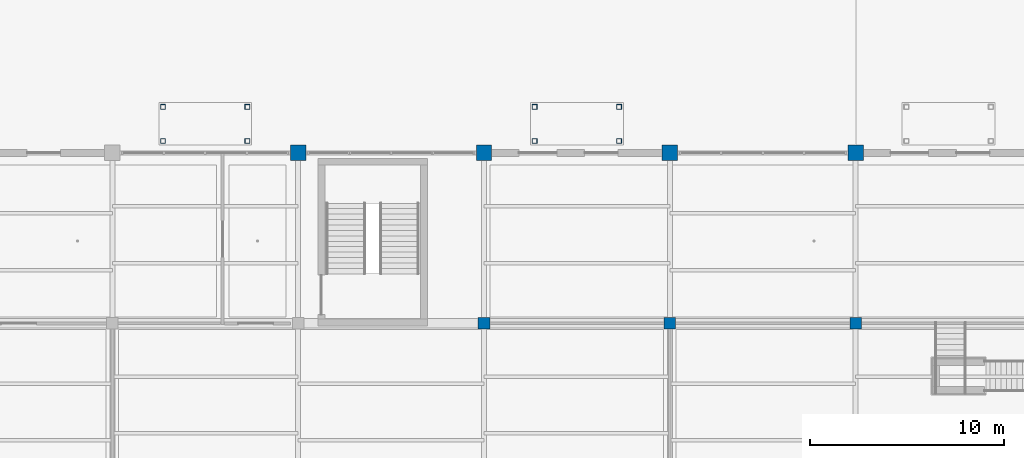
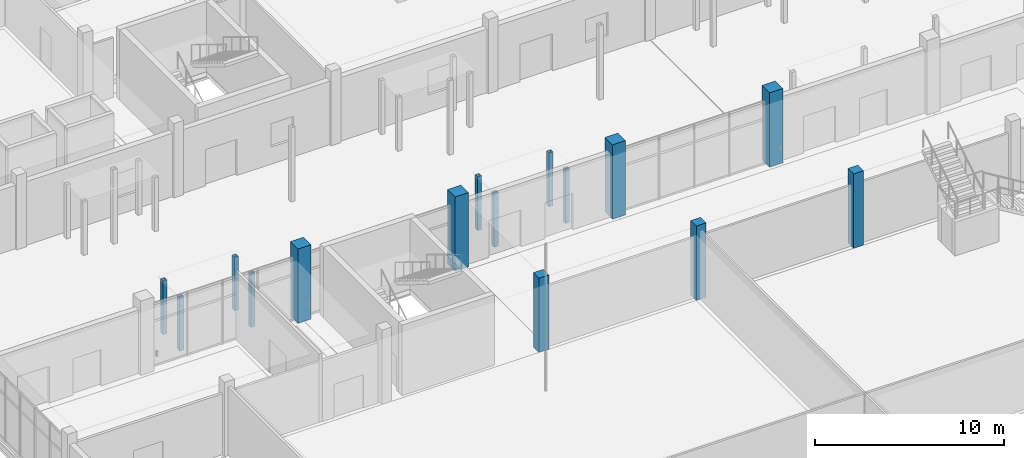
# One storey, part 6 of 116: 15 columns.
"""IFC4 building model written with IfcOpenShell, lengths in metres."""

import ifcopenshell
import ifcopenshell.guid

model = None  # the IFC model being written
_history = None  # IfcOwnerHistory: only IFC2X3 demands one
_inside = {}  # id of a spatial element -> (the spatial element, [elements in it])
_under = {}  # id of a project, library or spatial element -> (it, [spatial elements below it])
_declared = {}  # id of a project -> (the project, [libraries it declares])
_typed = {}  # id of a type object -> (the type object, [elements of that type])
_made_of = {}  # id of a material, layer set ... -> (it, [elements and type objects made of it])


def new_model(schema):
    """Start an empty IFC model of exactly this schema.

    Asked for "IFC4X3", IfcOpenShell would pick the latest addendum, in which some entities
    have other attributes; the version numbers below select the first issue.
    IFC2X3 requires an IfcOwnerHistory on every rooted entity: one is made here for all.
    """
    global model, _history
    if schema == "IFC4X3":
        model = ifcopenshell.file(schema_version=(4, 3, 0, 0))
    else:
        model = ifcopenshell.file(schema=schema)
    _inside.clear()
    _under.clear()
    _declared.clear()
    _typed.clear()
    _made_of.clear()
    _history = None
    if model.schema == "IFC2X3":
        org = make("IfcOrganization", Name="unknown")
        user = make(
            "IfcPersonAndOrganization",
            ThePerson=make("IfcPerson", FamilyName="unknown"),
            TheOrganization=org,
        )
        app = make(
            "IfcApplication",
            ApplicationDeveloper=org,
            Version="unknown",
            ApplicationFullName="unknown",
            ApplicationIdentifier="unknown",
        )
        _history = make(
            "IfcOwnerHistory",
            OwningUser=user,
            OwningApplication=app,
            ChangeAction="ADDED",
            CreationDate=0,
        )
    return model


def make(cls, **values):
    """One entity of the class cls with the attributes given. An attribute that is None is left unset."""
    return model.create_entity(
        cls, **{name: value for name, value in values.items() if value is not None}
    )


def rooted(cls, **values):
    """An entity with a GlobalId (a new one), such as an element, a storey or a relation."""
    return make(cls, GlobalId=ifcopenshell.guid.new(), OwnerHistory=_history, **values)


def si_unit(unit_type, name, prefix=None):
    """IfcSIUnit, for example si_unit("LENGTHUNIT", "METRE", prefix="MILLI")."""
    return make("IfcSIUnit", UnitType=unit_type, Prefix=prefix, Name=name)


def assignment(units):
    """IfcUnitAssignment: the units of a project."""
    return None if units is None else make("IfcUnitAssignment", Units=units)


def point(xyz):
    """IfcCartesianPoint."""
    return None if xyz is None else make("IfcCartesianPoint", Coordinates=xyz)


def direction(xyz):
    """IfcDirection."""
    return None if xyz is None else make("IfcDirection", DirectionRatios=xyz)


def frame(location, z_axis=None, x_axis=None):
    """IfcAxis2Placement3D, a coordinate frame: its origin and axes. An axis left out is left unset."""
    return make(
        "IfcAxis2Placement3D",
        Location=point(location),
        Axis=direction(z_axis),
        RefDirection=direction(x_axis),
    )


def frame_2d(location, x_axis=None):
    """IfcAxis2Placement2D, a coordinate frame in the plane: its origin and x axis."""
    return make(
        "IfcAxis2Placement2D", Location=point(location), RefDirection=direction(x_axis)
    )


def origin():
    """The frame at (0, 0, 0) with its axes left unset."""
    return frame((0.0, 0.0, 0.0))


def origin_2d():
    """The frame at (0, 0) in the plane with its x axis left unset."""
    return frame_2d((0.0, 0.0))


def place(relative_to, where):
    """IfcLocalPlacement: puts the frame where relative to a parent placement (None: the world)."""
    return make(
        "IfcLocalPlacement", PlacementRelTo=relative_to, RelativePlacement=where
    )


def context(
    kind, dimensions, precision=None, world=None, true_north=None, identifier=None
):
    """IfcGeometricRepresentationContext, for example the 3D "Model" context."""
    return make(
        "IfcGeometricRepresentationContext",
        ContextIdentifier=identifier,
        ContextType=kind,
        CoordinateSpaceDimension=dimensions,
        Precision=precision,
        WorldCoordinateSystem=world,
        TrueNorth=true_north,
    )


def subcontext(parent, identifier, kind, view, scale=None):
    """IfcGeometricRepresentationSubContext, for example "Body" below "Model"."""
    return make(
        "IfcGeometricRepresentationSubContext",
        ContextIdentifier=identifier,
        ContextType=kind,
        ParentContext=parent,
        TargetScale=scale,
        TargetView=view,
    )


def project(units=None, contexts=None):
    """IfcProject with its units and contexts."""
    return rooted(
        "IfcProject",
        Name="project",
        RepresentationContexts=contexts,
        UnitsInContext=assignment(units),
    )


def spatial(cls, under=None, at=None, **own):
    """A site, building, storey or space (cls), placed at a placement, below another one or the project."""
    s = rooted(cls, ObjectPlacement=at, **own)
    if under is not None:
        _under.setdefault(under.id(), (under, []))[1].append(s)
    return s


def profile(cls, at=None, kind="AREA", **sizes):
    """A parametric profile (cls). Its sizes go by their IFC names, for example OverallWidth=200.0."""
    return make(cls, ProfileType=kind, Position=at, **sizes)


def rectangle(**sizes):
    """IfcRectangleProfileDef."""
    return profile("IfcRectangleProfileDef", **sizes)


def hollow_rectangle(**sizes):
    """IfcRectangleHollowProfileDef."""
    return profile("IfcRectangleHollowProfileDef", **sizes)


def extrude(swept, where, along, depth):
    """IfcExtrudedAreaSolid: the profile swept, set in the frame where, extruded along a direction by depth."""
    return make(
        "IfcExtrudedAreaSolid",
        SweptArea=swept,
        Position=where,
        ExtrudedDirection=direction(along),
        Depth=depth,
    )


def shape(context_of_items, identifier, shape_type, items):
    """IfcShapeRepresentation: the items that make up one representation, for example the "Body"."""
    return make(
        "IfcShapeRepresentation",
        ContextOfItems=context_of_items,
        RepresentationIdentifier=identifier,
        RepresentationType=shape_type,
        Items=items,
    )


def material(Name=None, Category=None):
    """IfcMaterial."""
    return make("IfcMaterial", Name=Name, Category=Category)


def material_profile(
    of_material, cross_section, Name=None, Category=None, Priority=None
):
    """IfcMaterialProfile: a cross section and its material."""
    return make(
        "IfcMaterialProfile",
        Name=Name,
        Material=of_material,
        Profile=cross_section,
        Priority=Priority,
        Category=Category,
    )


def profile_set(profiles, Name=None, composite=None):
    """IfcMaterialProfileSet."""
    return make(
        "IfcMaterialProfileSet",
        Name=Name,
        MaterialProfiles=profiles,
        CompositeProfile=composite,
    )


def made_of(thing, what):
    """Note that an element or type object is made of a material, layer set ...; save() writes the relation."""
    if what is not None:
        _made_of.setdefault(what.id(), (what, []))[1].append(thing)
    return thing


def type_object(cls, material=None, **own):
    """A type object (cls), such as IfcWallType, which elements share."""
    return made_of(rooted(cls, **own), material)


def element(
    cls,
    number,
    at=None,
    inside=None,
    cuts=None,
    type_object=None,
    material=None,
    context=None,
    identifier="Body",
    shape_type=None,
    held_by="IfcProductDefinitionShape",
    body=None,
    shapes=None,
    **own,
):
    """One element of the class cls, such as IfcWall. Its Tag is "e" and its number.

    at: its placement. inside: the storey or other place that contains it. cuts: it is an
    opening in that element (IfcRelVoidsElement). A single representation is given by context,
    identifier, shape_type and body (its items); several are given by shapes. held_by: the class
    of the entity that holds the representations. save() writes the other relations.
    """
    e = rooted(cls, Tag="e%d" % number, ObjectPlacement=at, **own)
    if body is not None:
        shapes = [shape(context, identifier, shape_type, body)]
    if shapes is not None:
        e.Representation = make(held_by, Representations=shapes)
    if inside is not None:
        _inside.setdefault(inside.id(), (inside, []))[1].append(e)
    if cuts is not None:
        rooted(
            "IfcRelVoidsElement", RelatingBuildingElement=cuts, RelatedOpeningElement=e
        )
    if type_object is not None:
        _typed.setdefault(type_object.id(), (type_object, []))[1].append(e)
    return made_of(e, material)


def aggregate(whole, parts):
    """IfcRelAggregates: a whole, such as a stair, and the parts it consists of."""
    return rooted("IfcRelAggregates", RelatingObject=whole, RelatedObjects=parts)


def save(model, path):
    """Write the relations noted so far, then the file.

    IfcRelAggregates (storeys below a building ...), IfcRelContainedInSpatialStructure (elements
    in a storey), IfcRelDefinesByType, IfcRelAssociatesMaterial and IfcRelDeclares: one each for
    every whole, place, type object, material and project.
    """
    for whole, parts in _under.values():
        aggregate(whole, parts)
    for where, things in _inside.values():
        rooted(
            "IfcRelContainedInSpatialStructure",
            RelatedElements=things,
            RelatingStructure=where,
        )
    for kind, things in _typed.values():
        rooted("IfcRelDefinesByType", RelatedObjects=things, RelatingType=kind)
    for what, things in _made_of.values():
        rooted("IfcRelAssociatesMaterial", RelatedObjects=things, RelatingMaterial=what)
    for by, libraries in _declared.values():
        rooted("IfcRelDeclares", RelatingContext=by, RelatedDefinitions=libraries)
    model.write(path)


model = new_model("IFC4")

# Units and contexts
model_context = context("Model", 3, precision=1e-05, world=origin(), true_north=direction((0.0, 1.0)))
body_context = subcontext(model_context, "Body", "Model", "MODEL_VIEW")
ifc_project = project(units=[si_unit("LENGTHUNIT", "METRE"), si_unit("AREAUNIT", "SQUARE_METRE"), si_unit("VOLUMEUNIT", "CUBIC_METRE"), si_unit("PLANEANGLEUNIT", "RADIAN"), si_unit("MASSUNIT", "GRAM", prefix="KILO")], contexts=[model_context])

# Site, building, storey
site_placement = place(None, origin())
site = spatial("IfcSite", under=ifc_project, at=site_placement, CompositionType="ELEMENT")
building_placement = place(site_placement, origin())
building = spatial("IfcBuilding", under=site, at=building_placement, Name="Chalmorin Arch Market", CompositionType="ELEMENT")
storey_placement = place(building_placement, origin())
storey = spatial("IfcBuildingStorey", under=building, at=storey_placement, Name="L00", CompositionType="ELEMENT", Elevation=0.0)

# Columns
ifc_material_1 = material(Name="Concrete C50/60", Category="concrete")
ifc_material_profile_1 = material_profile(ifc_material_1, rectangle(XDim=0.800048828125, YDim=0.800048828125, at=origin_2d()), Name="RC800X800")
ifc_profile_set_1 = profile_set([ifc_material_profile_1], Name="Concrete C50/60")
column_type_1 = type_object("IfcColumnType", Name="ArchPierColumn-800x800", PredefinedType="COLUMN", material=ifc_profile_set_1)
for number, where, z_axis, x_axis, name in (
    (1, (67.199951171875, 58.800048828125, 0.0), (0.0, 0.0, 1.0), (1.0, 0.0, 0.0), "C-AP1-331"),
    (2, (76.800048828125, 58.800048828125, 0.0), (0.0, 0.0, 1.0), (1.0, 0.0, 0.0), "C-AP1-386"),
    (3, (86.39990234375, 58.800048828125, 0.0), (0.0, 0.0, 1.0), (1.0, 0.0, 0.0), "C-AP1-441"),
    (4, (96.0, 58.800048828125, 0.0), (0.0, 0.0, 1.0), (1.0, 0.0, 0.0), "C-AP1-496"),
):
    element("IfcColumn", number, at=place(storey_placement, frame(where, z_axis=z_axis, x_axis=x_axis)), inside=storey, type_object=column_type_1, Name=name, PredefinedType="COLUMN", context=body_context, shape_type="SweptSolid", body=[
        extrude(rectangle(XDim=0.800048828125, YDim=0.800048828125, at=origin_2d()), origin(), (0.0, 0.0, 1.0), 4.800048828125),
    ])
ifc_material_2 = material(Name="Concrete C40/50", Category="concrete")
ifc_material_profile_2 = material_profile(ifc_material_2, rectangle(XDim=0.60009765625, YDim=0.60009765625, at=origin_2d()), Name="RC600X600")
ifc_profile_set_2 = profile_set([ifc_material_profile_2], Name="Concrete C40/50")
column_type_2 = type_object("IfcColumnType", Name="InteriorConcreteColumn-600x600", PredefinedType="COLUMN", material=ifc_profile_set_2)
for number, where, z_axis, x_axis, name in (
    (5, (76.800048828125, 50.0, 0.0), (0.0, 0.0, 1.0), (1.0, 0.0, 0.0), "C-RC2-381"),
    (6, (86.39990234375, 50.0, 0.0), (0.0, 0.0, 1.0), (1.0, 0.0, 0.0), "C-RC2-436"),
    (7, (96.0, 50.0, 0.0), (0.0, 0.0, 1.0), (1.0, 0.0, 0.0), "C-RC2-491"),
):
    element("IfcColumn", number, at=place(storey_placement, frame(where, z_axis=z_axis, x_axis=x_axis)), inside=storey, type_object=column_type_2, Name=name, PredefinedType="COLUMN", context=body_context, shape_type="SweptSolid", body=[
        extrude(rectangle(XDim=0.60009765625, YDim=0.60009765625, at=origin_2d()), origin(), (0.0, 0.0, 1.0), 4.800048828125),
    ])
ifc_material_3 = material(Name="Steel A500 Grade C", Category="steel")
ifc_material_profile_3 = material_profile(ifc_material_3, hollow_rectangle(XDim=0.25390625, YDim=0.25390625, WallThickness=0.01171875, at=origin_2d()), Name="HSS10X10X1/2")
ifc_profile_set_3 = profile_set([ifc_material_profile_3], Name="Steel A500 Grade C")
column_type_3 = type_object("IfcColumnType", Name="SteelTubeColumn-HSS10X10", PredefinedType="COLUMN", material=ifc_profile_set_3)
for number, where, z_axis, x_axis, name in (
    (8, (60.219970703125, 59.419921875, 0.0), (0.0, 0.0, 1.0), (1.0, 0.0, 0.0), "C-CNP-011"),
    (9, (64.580078125, 59.419921875, 0.0), (0.0, 0.0, 1.0), (1.0, 0.0, 0.0), "C-CNP-012"),
    (10, (64.580078125, 61.179931640625, 0.0), (0.0, 0.0, 1.0), (1.0, 0.0, 0.0), "C-CNP-013"),
    (11, (60.219970703125, 61.179931640625, 0.0), (0.0, 0.0, 1.0), (1.0, 0.0, 0.0), "C-CNP-014"),
    (12, (79.419921875, 59.419921875, 0.0), (0.0, 0.0, 1.0), (1.0, 0.0, 0.0), "C-CNP-021"),
    (13, (83.780029296875, 59.419921875, 0.0), (0.0, 0.0, 1.0), (1.0, 0.0, 0.0), "C-CNP-022"),
    (14, (83.780029296875, 61.179931640625, 0.0), (0.0, 0.0, 1.0), (1.0, 0.0, 0.0), "C-CNP-023"),
    (15, (79.419921875, 61.179931640625, 0.0), (0.0, 0.0, 1.0), (1.0, 0.0, 0.0), "C-CNP-024"),
):
    element("IfcColumn", number, at=place(storey_placement, frame(where, z_axis=z_axis, x_axis=x_axis)), inside=storey, type_object=column_type_3, Name=name, PredefinedType="COLUMN", context=body_context, shape_type="SweptSolid", body=[
        extrude(hollow_rectangle(XDim=0.25390625, YDim=0.25390625, WallThickness=0.01171875, at=origin_2d()), origin(), (0.0, 0.0, 1.0), 3.469970703125),
    ])

save(model, "model.ifc")
